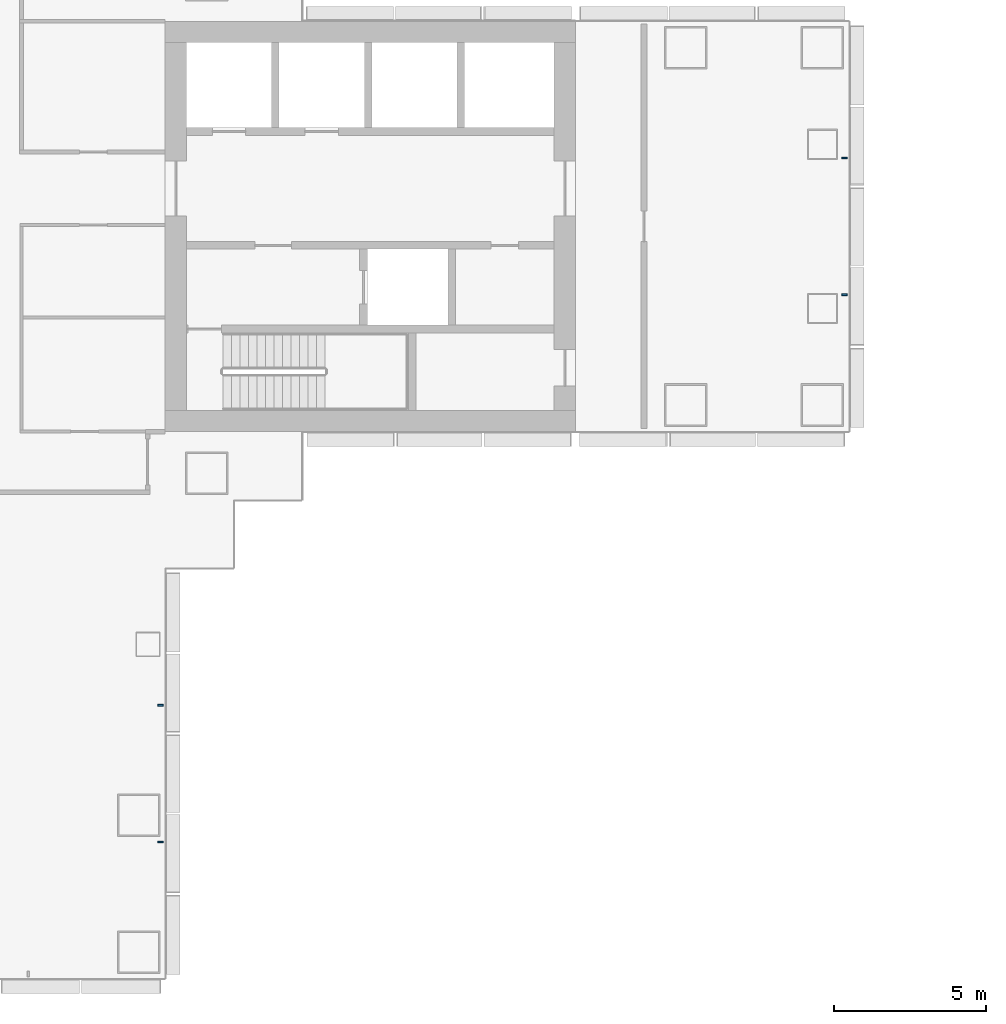
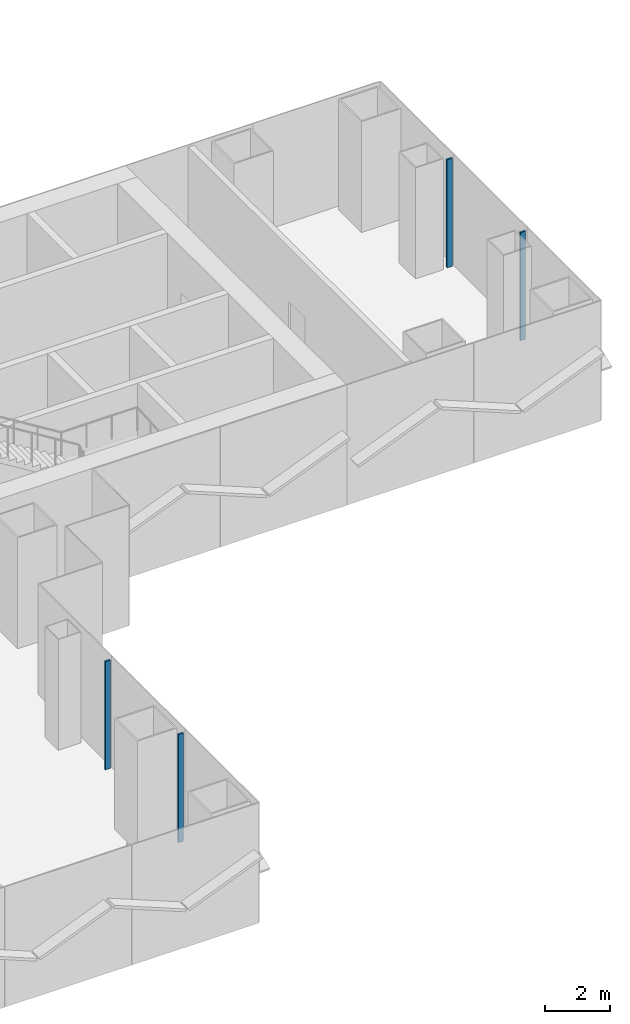
# One storey, part 5 of 22: 4 members, 2 elements without a shape of their own.
"""IFC4 building model written with IfcOpenShell, lengths in metres."""

from ifc_helpers import new_model, si_unit, direction, frame, origin, origin_2d, place, context, subcontext, project, spatial, rectangle, extrude, material, layer, layer_set, material_profile, profile_set, type_object, element, aggregate, save


model = new_model("IFC4")

# Units and contexts
model_context = context("Model", 3, precision=1e-05, world=origin(), true_north=direction((0.0, 1.0)))
body_context = subcontext(model_context, "Body", "Model", "MODEL_VIEW")
ifc_project = project(units=[si_unit("LENGTHUNIT", "METRE"), si_unit("AREAUNIT", "SQUARE_METRE"), si_unit("VOLUMEUNIT", "CUBIC_METRE"), si_unit("PLANEANGLEUNIT", "RADIAN"), si_unit("MASSUNIT", "GRAM", prefix="KILO")], contexts=[model_context])

# Site, building, storey
site_placement = place(None, origin())
site = spatial("IfcSite", under=ifc_project, at=site_placement, CompositionType="ELEMENT")
building_placement = place(site_placement, origin())
building = spatial("IfcBuilding", under=site, at=building_placement, Name="Shamsa Quay Exchange Towers", CompositionType="ELEMENT")
storey_placement = place(building_placement, frame((0.0, 0.0, 33.0)))
storey = spatial("IfcBuildingStorey", under=building, at=storey_placement, Name="L06", CompositionType="ELEMENT", Elevation=33.0)

# Curtain wall, members
ifc_material = material(Name="Aluminium EN AW-6063 T6, black anodised", Category="aluminium")
ifc_layer = layer(ifc_material, 0.280029296875)
ifc_layer_set = layer_set([ifc_layer], Name="CW-1 UNITISED VISION GLASS")
curtain_wall_type = type_object("IfcCurtainWallType", Name="CW-1 UNITISED VISION GLASS", PredefinedType="NOTDEFINED", material=ifc_layer_set)
curtain_wall_1_placement = place(storey_placement, origin())
curtain_wall_1 = element("IfcCurtainWall", 1, at=curtain_wall_1_placement, inside=storey, type_object=curtain_wall_type, Name="CW1 T1-FLK-V-E L06", PredefinedType="NOTDEFINED")
ifc_material_profile = material_profile(ifc_material, rectangle(XDim=0.179931640625, YDim=0.06005859375, at=origin_2d()), Name="MU60x180")
ifc_profile_set = profile_set([ifc_material_profile], Name="Aluminium EN AW-6063 T6, black anodised")
member_type = type_object("IfcMemberType", Name="CW1 MULLION 60x180", PredefinedType="MULLION", material=ifc_profile_set)
member_1_placement = place(storey_placement, frame((-27.14990234375, -20.25, 0.0), z_axis=(0.0, 0.0, 1.0), x_axis=(-1.0, 0.0, 0.0)))
member_1 = element("IfcMember", 2, at=member_1_placement, type_object=member_type, Name="CW1 mullion", PredefinedType="MULLION", context=body_context, shape_type="SweptSolid", body=[
    extrude(rectangle(XDim=0.179931640625, YDim=0.06005859375, at=origin_2d()), origin(), (0.0, 0.0, 1.0), 4.050048828125),
])
member_2_placement = place(storey_placement, frame((-27.14990234375, -15.75, 0.0), z_axis=(0.0, 0.0, 1.0), x_axis=(-1.0, 0.0, 0.0)))
member_2 = element("IfcMember", 3, at=member_2_placement, type_object=member_type, Name="CW1 mullion", PredefinedType="MULLION", context=body_context, shape_type="SweptSolid", body=[
    extrude(rectangle(XDim=0.179931640625, YDim=0.06005859375, at=origin_2d()), origin(), (0.0, 0.0, 1.0), 4.050048828125),
])
aggregate(curtain_wall_1, [member_1, member_2])

curtain_wall_2_placement = place(storey_placement, origin())
curtain_wall_2 = element("IfcCurtainWall", 4, at=curtain_wall_2_placement, inside=storey, type_object=curtain_wall_type, Name="CW1 T1-END-U+ L06", PredefinedType="NOTDEFINED")
member_3_placement = place(storey_placement, frame((-4.64990234375, -2.25, 0.0), z_axis=(0.0, 0.0, 1.0), x_axis=(-1.0, 0.0, 0.0)))
member_3 = element("IfcMember", 5, at=member_3_placement, type_object=member_type, Name="CW1 mullion", PredefinedType="MULLION", context=body_context, shape_type="SweptSolid", body=[
    extrude(rectangle(XDim=0.179931640625, YDim=0.06005859375, at=origin_2d()), origin(), (0.0, 0.0, 1.0), 4.050048828125),
])
member_4_placement = place(storey_placement, frame((-4.64990234375, 2.25, 0.0), z_axis=(0.0, 0.0, 1.0), x_axis=(-1.0, 0.0, 0.0)))
member_4 = element("IfcMember", 6, at=member_4_placement, type_object=member_type, Name="CW1 mullion", PredefinedType="MULLION", context=body_context, shape_type="SweptSolid", body=[
    extrude(rectangle(XDim=0.179931640625, YDim=0.06005859375, at=origin_2d()), origin(), (0.0, 0.0, 1.0), 4.050048828125),
])
aggregate(curtain_wall_2, [member_3, member_4])

save(model, "model.ifc")
